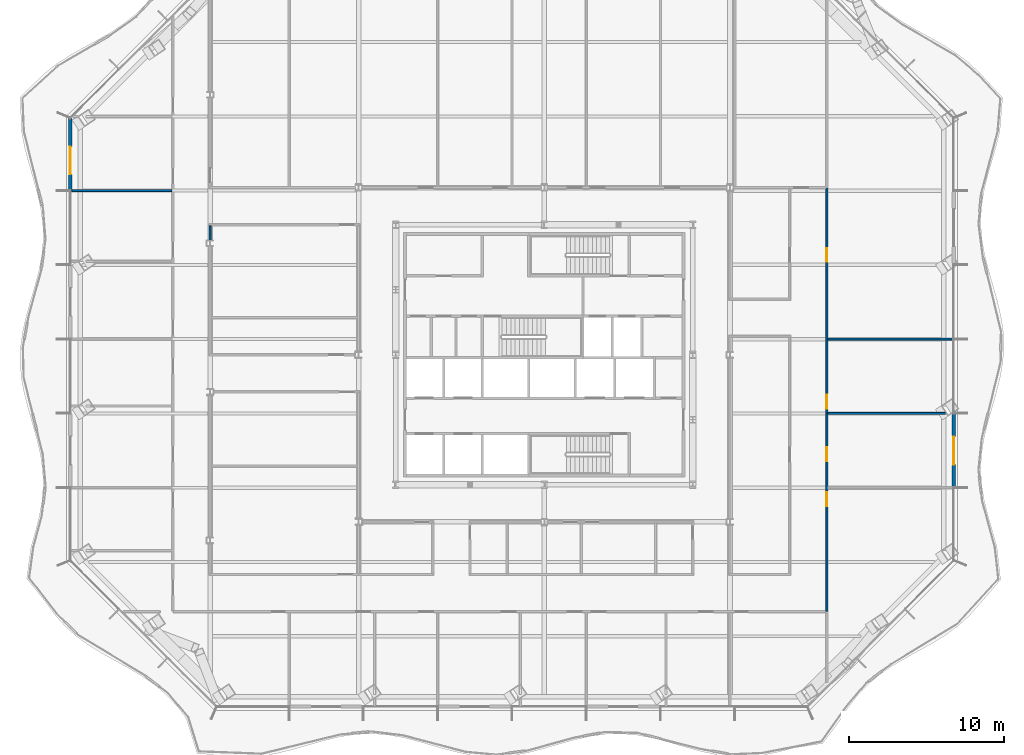
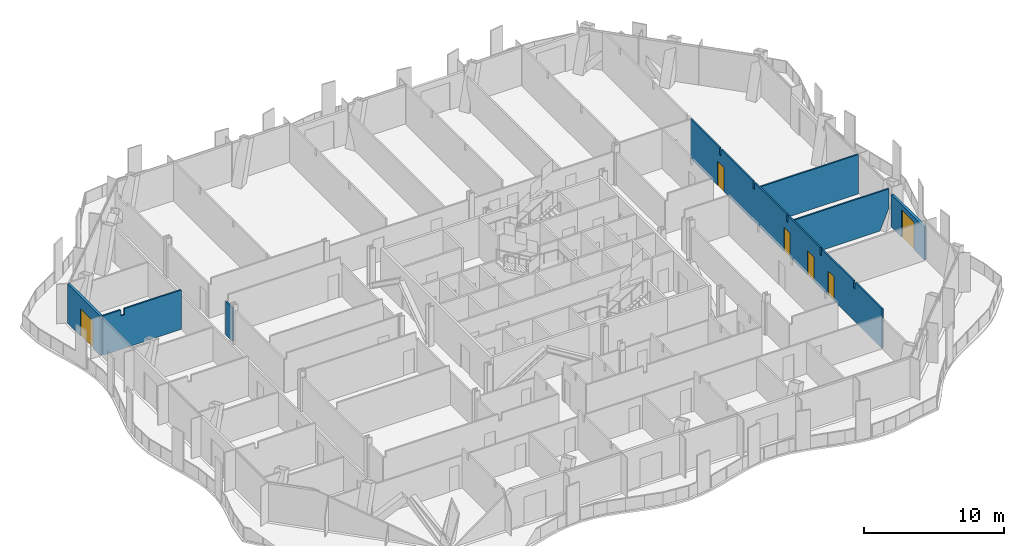
# One storey, part 11 of 22: 7 walls, 6 doors, 6 openings.
"""IFC4 building model written with IfcOpenShell, lengths in metres."""

import ifcopenshell
import ifcopenshell.guid

model = None  # the IFC model being written
_history = None  # IfcOwnerHistory: only IFC2X3 demands one
_inside = {}  # id of a spatial element -> (the spatial element, [elements in it])
_under = {}  # id of a project, library or spatial element -> (it, [spatial elements below it])
_declared = {}  # id of a project -> (the project, [libraries it declares])
_typed = {}  # id of a type object -> (the type object, [elements of that type])
_made_of = {}  # id of a material, layer set ... -> (it, [elements and type objects made of it])


def new_model(schema):
    """Start an empty IFC model of exactly this schema.

    Asked for "IFC4X3", IfcOpenShell would pick the latest addendum, in which some entities
    have other attributes; the version numbers below select the first issue.
    IFC2X3 requires an IfcOwnerHistory on every rooted entity: one is made here for all.
    """
    global model, _history
    if schema == "IFC4X3":
        model = ifcopenshell.file(schema_version=(4, 3, 0, 0))
    else:
        model = ifcopenshell.file(schema=schema)
    _inside.clear()
    _under.clear()
    _declared.clear()
    _typed.clear()
    _made_of.clear()
    _history = None
    if model.schema == "IFC2X3":
        org = make("IfcOrganization", Name="unknown")
        user = make(
            "IfcPersonAndOrganization",
            ThePerson=make("IfcPerson", FamilyName="unknown"),
            TheOrganization=org,
        )
        app = make(
            "IfcApplication",
            ApplicationDeveloper=org,
            Version="unknown",
            ApplicationFullName="unknown",
            ApplicationIdentifier="unknown",
        )
        _history = make(
            "IfcOwnerHistory",
            OwningUser=user,
            OwningApplication=app,
            ChangeAction="ADDED",
            CreationDate=0,
        )
    return model


def make(cls, **values):
    """One entity of the class cls with the attributes given. An attribute that is None is left unset."""
    return model.create_entity(
        cls, **{name: value for name, value in values.items() if value is not None}
    )


def rooted(cls, **values):
    """An entity with a GlobalId (a new one), such as an element, a storey or a relation."""
    return make(cls, GlobalId=ifcopenshell.guid.new(), OwnerHistory=_history, **values)


def si_unit(unit_type, name, prefix=None):
    """IfcSIUnit, for example si_unit("LENGTHUNIT", "METRE", prefix="MILLI")."""
    return make("IfcSIUnit", UnitType=unit_type, Prefix=prefix, Name=name)


def assignment(units):
    """IfcUnitAssignment: the units of a project."""
    return None if units is None else make("IfcUnitAssignment", Units=units)


def point(xyz):
    """IfcCartesianPoint."""
    return None if xyz is None else make("IfcCartesianPoint", Coordinates=xyz)


def direction(xyz):
    """IfcDirection."""
    return None if xyz is None else make("IfcDirection", DirectionRatios=xyz)


def frame(location, z_axis=None, x_axis=None):
    """IfcAxis2Placement3D, a coordinate frame: its origin and axes. An axis left out is left unset."""
    return make(
        "IfcAxis2Placement3D",
        Location=point(location),
        Axis=direction(z_axis),
        RefDirection=direction(x_axis),
    )


def frame_2d(location, x_axis=None):
    """IfcAxis2Placement2D, a coordinate frame in the plane: its origin and x axis."""
    return make(
        "IfcAxis2Placement2D", Location=point(location), RefDirection=direction(x_axis)
    )


def origin():
    """The frame at (0, 0, 0) with its axes left unset."""
    return frame((0.0, 0.0, 0.0))


def place(relative_to, where):
    """IfcLocalPlacement: puts the frame where relative to a parent placement (None: the world)."""
    return make(
        "IfcLocalPlacement", PlacementRelTo=relative_to, RelativePlacement=where
    )


def context(
    kind, dimensions, precision=None, world=None, true_north=None, identifier=None
):
    """IfcGeometricRepresentationContext, for example the 3D "Model" context."""
    return make(
        "IfcGeometricRepresentationContext",
        ContextIdentifier=identifier,
        ContextType=kind,
        CoordinateSpaceDimension=dimensions,
        Precision=precision,
        WorldCoordinateSystem=world,
        TrueNorth=true_north,
    )


def subcontext(parent, identifier, kind, view, scale=None):
    """IfcGeometricRepresentationSubContext, for example "Body" below "Model"."""
    return make(
        "IfcGeometricRepresentationSubContext",
        ContextIdentifier=identifier,
        ContextType=kind,
        ParentContext=parent,
        TargetScale=scale,
        TargetView=view,
    )


def project(units=None, contexts=None):
    """IfcProject with its units and contexts."""
    return rooted(
        "IfcProject",
        Name="project",
        RepresentationContexts=contexts,
        UnitsInContext=assignment(units),
    )


def spatial(cls, under=None, at=None, **own):
    """A site, building, storey or space (cls), placed at a placement, below another one or the project."""
    s = rooted(cls, ObjectPlacement=at, **own)
    if under is not None:
        _under.setdefault(under.id(), (under, []))[1].append(s)
    return s


def polyline(points):
    """IfcPolyline through the points."""
    return make("IfcPolyline", Points=[point(p) for p in points])


def profile(cls, at=None, kind="AREA", **sizes):
    """A parametric profile (cls). Its sizes go by their IFC names, for example OverallWidth=200.0."""
    return make(cls, ProfileType=kind, Position=at, **sizes)


def rectangle(**sizes):
    """IfcRectangleProfileDef."""
    return profile("IfcRectangleProfileDef", **sizes)


def outline(outer, holes=None, kind="AREA"):
    """IfcArbitraryClosedProfileDef: a profile drawn as a closed curve; with holes, ...WithVoids."""
    if holes is None:
        return make("IfcArbitraryClosedProfileDef", ProfileType=kind, OuterCurve=outer)
    return make(
        "IfcArbitraryProfileDefWithVoids",
        ProfileType=kind,
        OuterCurve=outer,
        InnerCurves=holes,
    )


def extrude(swept, where, along, depth):
    """IfcExtrudedAreaSolid: the profile swept, set in the frame where, extruded along a direction by depth."""
    return make(
        "IfcExtrudedAreaSolid",
        SweptArea=swept,
        Position=where,
        ExtrudedDirection=direction(along),
        Depth=depth,
    )


def shape(context_of_items, identifier, shape_type, items):
    """IfcShapeRepresentation: the items that make up one representation, for example the "Body"."""
    return make(
        "IfcShapeRepresentation",
        ContextOfItems=context_of_items,
        RepresentationIdentifier=identifier,
        RepresentationType=shape_type,
        Items=items,
    )


def material(Name=None, Category=None):
    """IfcMaterial."""
    return make("IfcMaterial", Name=Name, Category=Category)


def layer(
    of_material, thickness, ventilated=None, Name=None, Category=None, Priority=None
):
    """IfcMaterialLayer: one layer of a wall or slab, of a material (None: an air gap)."""
    return make(
        "IfcMaterialLayer",
        Material=of_material,
        LayerThickness=thickness,
        IsVentilated=ventilated,
        Name=Name,
        Category=Category,
        Priority=Priority,
    )


def layer_set(layers, Name=None):
    """IfcMaterialLayerSet."""
    return make("IfcMaterialLayerSet", MaterialLayers=layers, LayerSetName=Name)


def made_of(thing, what):
    """Note that an element or type object is made of a material, layer set ...; save() writes the relation."""
    if what is not None:
        _made_of.setdefault(what.id(), (what, []))[1].append(thing)
    return thing


def type_object(cls, material=None, **own):
    """A type object (cls), such as IfcWallType, which elements share."""
    return made_of(rooted(cls, **own), material)


def element(
    cls,
    number,
    at=None,
    inside=None,
    cuts=None,
    type_object=None,
    material=None,
    context=None,
    identifier="Body",
    shape_type=None,
    held_by="IfcProductDefinitionShape",
    body=None,
    shapes=None,
    **own,
):
    """One element of the class cls, such as IfcWall. Its Tag is "e" and its number.

    at: its placement. inside: the storey or other place that contains it. cuts: it is an
    opening in that element (IfcRelVoidsElement). A single representation is given by context,
    identifier, shape_type and body (its items); several are given by shapes. held_by: the class
    of the entity that holds the representations. save() writes the other relations.
    """
    e = rooted(cls, Tag="e%d" % number, ObjectPlacement=at, **own)
    if body is not None:
        shapes = [shape(context, identifier, shape_type, body)]
    if shapes is not None:
        e.Representation = make(held_by, Representations=shapes)
    if inside is not None:
        _inside.setdefault(inside.id(), (inside, []))[1].append(e)
    if cuts is not None:
        rooted(
            "IfcRelVoidsElement", RelatingBuildingElement=cuts, RelatedOpeningElement=e
        )
    if type_object is not None:
        _typed.setdefault(type_object.id(), (type_object, []))[1].append(e)
    return made_of(e, material)


def fill(opening, filler):
    """IfcRelFillsElement: the door or window that sits in an opening."""
    return rooted(
        "IfcRelFillsElement",
        RelatingOpeningElement=opening,
        RelatedBuildingElement=filler,
    )


def aggregate(whole, parts):
    """IfcRelAggregates: a whole, such as a stair, and the parts it consists of."""
    return rooted("IfcRelAggregates", RelatingObject=whole, RelatedObjects=parts)


def save(model, path):
    """Write the relations noted so far, then the file.

    IfcRelAggregates (storeys below a building ...), IfcRelContainedInSpatialStructure (elements
    in a storey), IfcRelDefinesByType, IfcRelAssociatesMaterial and IfcRelDeclares: one each for
    every whole, place, type object, material and project.
    """
    for whole, parts in _under.values():
        aggregate(whole, parts)
    for where, things in _inside.values():
        rooted(
            "IfcRelContainedInSpatialStructure",
            RelatedElements=things,
            RelatingStructure=where,
        )
    for kind, things in _typed.values():
        rooted("IfcRelDefinesByType", RelatedObjects=things, RelatingType=kind)
    for what, things in _made_of.values():
        rooted("IfcRelAssociatesMaterial", RelatedObjects=things, RelatingMaterial=what)
    for by, libraries in _declared.values():
        rooted("IfcRelDeclares", RelatingContext=by, RelatedDefinitions=libraries)
    model.write(path)


model = new_model("IFC4")

# Units and contexts
model_context = context("Model", 3, precision=1e-05, world=origin(), true_north=direction((0.0, 1.0)))
body_context = subcontext(model_context, "Body", "Model", "MODEL_VIEW")
ifc_project = project(units=[si_unit("LENGTHUNIT", "METRE"), si_unit("AREAUNIT", "SQUARE_METRE"), si_unit("VOLUMEUNIT", "CUBIC_METRE"), si_unit("PLANEANGLEUNIT", "RADIAN"), si_unit("MASSUNIT", "GRAM", prefix="KILO")], contexts=[model_context])

# Site, building, storey
site_placement = place(None, origin())
site = spatial("IfcSite", under=ifc_project, at=site_placement, CompositionType="ELEMENT")
building_placement = place(site_placement, origin())
building = spatial("IfcBuilding", under=site, at=building_placement, Name="Cairn Pilgrim Tower", CompositionType="ELEMENT")
storey_placement = place(building_placement, frame((0.0, 0.0, 105.0)))
storey = spatial("IfcBuildingStorey", under=building, at=storey_placement, Name="L25", CompositionType="ELEMENT", Elevation=105.0)

# Wall, opening, door
ifc_material_1 = material(Name="Bronze anodised aluminium insulated sandwich panel with mineral wool fill", Category="aluminium")
ifc_layer_1 = layer(ifc_material_1, 0.199951171875)
ifc_layer_set_1 = layer_set([ifc_layer_1], Name="BRONZE INFILL FRAME WALL 200")
wall_type_1 = type_object("IfcWallType", Name="BRONZE INFILL FRAME WALL 200", PredefinedType="NOTDEFINED", material=ifc_layer_set_1)
wall_1_placement = place(storey_placement, frame((33.662841796875, -6.161376953125, 0.0), z_axis=(0.0, 0.0, 1.0), x_axis=(0.0, 1.0, 0.0)))
wall_1 = element("IfcWall", 1, at=wall_1_placement, inside=storey, type_object=wall_type_1, Name="Bronze infill frame wall IW-E2", PredefinedType="NOTDEFINED", context=body_context, shape_type="SweptSolid", body=[
    extrude(rectangle(XDim=4.739990234375, YDim=0.199951171875, at=frame_2d((2.3701171875, 0.0))), origin(), (0.0, 0.0, 1.0), 2.85009765625),
])
opening_1_placement = place(wall_1_placement, frame((1.470458984375, 0.0, 0.0)))
opening_1 = element("IfcOpeningElement", 2, at=opening_1_placement, cuts=wall_1, Name="Opening 2524B", PredefinedType="OPENING", context=body_context, shape_type="SweptSolid", body=[
    extrude(rectangle(XDim=1.800048828125, YDim=2.39990234375, at=frame_2d((0.89990234375, 1.199951171875))), frame((0.0, 0.10986328125, 0.0), z_axis=(0.0, -1.0, 0.0), x_axis=(1.0, 0.0, 0.0)), (0.0, 0.0, 1.0), 0.219970703125),
])
ifc_material_2 = material(Name="Bronze anodised aluminium frame with tinted low-E glass", Category="aluminium")
door_type_1 = type_object("IfcDoorType", Name="BALCONY SLIDING DOOR 1800x2400", OperationType="DOUBLE_DOOR_SLIDING", PredefinedType="DOOR", material=ifc_material_2)
door_1_placement = place(opening_1_placement, origin())
door_1 = element("IfcDoor", 3, at=door_1_placement, inside=storey, type_object=door_type_1, Name="Balcony sliding door 2524B", OperationType="SINGLE_SWING_LEFT", OverallHeight=2.39990234375, OverallWidth=1.800048828125, PredefinedType="DOOR", context=body_context, shape_type="SweptSolid", body=[
    extrude(rectangle(XDim=1.800048828125, YDim=2.39990234375, at=frame_2d((0.89990234375, 1.199951171875))), frame((0.0, 0.02490234375, 0.0), z_axis=(0.0, -1.0, 0.0), x_axis=(1.0, 0.0, 0.0)), (0.0, 0.0, 1.0), 0.050048828125),
])
fill(opening_1, door_1)

wall_2_placement = place(storey_placement, frame((-23.43701171875, 17.6650390625, 0.0), z_axis=(0.0, 0.0, 1.0), x_axis=(0.0, -1.0, 0.0)))
wall_2 = element("IfcWall", 4, at=wall_2_placement, inside=storey, type_object=wall_type_1, Name="Bronze infill frame wall IW-W1", PredefinedType="NOTDEFINED", context=body_context, shape_type="SweptSolid", body=[
    extrude(rectangle(XDim=4.62646484375, YDim=0.199951171875, at=frame_2d((2.313232421875, 0.0))), origin(), (0.0, 0.0, 1.0), 3.449951171875),
])
opening_2_placement = place(wall_2_placement, frame((1.807861328125, 0.0, 0.0)))
opening_2 = element("IfcOpeningElement", 5, at=opening_2_placement, cuts=wall_2, Name="Opening 2514B", PredefinedType="OPENING", context=body_context, shape_type="SweptSolid", body=[
    extrude(rectangle(XDim=1.800048828125, YDim=2.39990234375, at=frame_2d((0.89990234375, 1.199951171875))), frame((0.0, 0.10986328125, 0.0), z_axis=(0.0, -1.0, 0.0), x_axis=(1.0, 0.0, 0.0)), (0.0, 0.0, 1.0), 0.219970703125),
])
door_2_placement = place(opening_2_placement, origin())
door_2 = element("IfcDoor", 6, at=door_2_placement, inside=storey, type_object=door_type_1, Name="Balcony sliding door 2514B", OperationType="SINGLE_SWING_LEFT", OverallHeight=2.39990234375, OverallWidth=1.800048828125, PredefinedType="DOOR", context=body_context, shape_type="SweptSolid", body=[
    extrude(rectangle(XDim=1.800048828125, YDim=2.39990234375, at=frame_2d((0.89990234375, 1.199951171875))), frame((0.0, 0.02490234375, 0.0), z_axis=(0.0, -1.0, 0.0), x_axis=(1.0, 0.0, 0.0)), (0.0, 0.0, 1.0), 0.050048828125),
])
fill(opening_2, door_2)

# Wall, openings, doors
ifc_material_3 = material(Name="Gypsum partition")
ifc_layer_2 = layer(ifc_material_3, 0.125)
ifc_layer_set_2 = layer_set([ifc_layer_2], Name="PARTITION 125 DRYWALL EI 60")
wall_type_2 = type_object("IfcWallType", Name="PARTITION 125 DRYWALL EI 60", PredefinedType="PARTITIONING", material=ifc_layer_set_2)
wall_3_placement = place(storey_placement, frame((25.462890625, -14.199951171875, 0.0), z_axis=(0.0, 0.0, 1.0), x_axis=(0.0, 1.0, 0.0)))
wall_3 = element("IfcWall", 7, at=wall_3_placement, inside=storey, type_object=wall_type_2, Name="PARTITION W014", PredefinedType="PARTITIONING", context=body_context, shape_type="SweptSolid", body=[
    extrude(outline(polyline([(0.0, 0.0), (27.39990234375, 0.0), (27.39990234375, 3.449951171875), (23.23779296875, 3.449951171875), (23.235595703125, 2.830078125), (23.017578125, 2.830078125), (23.015625, 3.449951171875), (18.437744140625, 3.449951171875), (18.435791015625, 2.830078125), (18.2177734375, 2.830078125), (18.2158203125, 3.449951171875), (13.6376953125, 3.449951171875), (13.6357421875, 2.830078125), (13.417724609375, 2.830078125), (13.415771484375, 3.449951171875), (8.837646484375, 3.449951171875), (8.835693359375, 2.830078125), (8.61767578125, 2.830078125), (8.61572265625, 3.449951171875), (4.03759765625, 3.449951171875), (4.03564453125, 2.830078125), (3.817626953125, 2.830078125), (3.815673828125, 3.449951171875), (0.0, 3.449951171875), (0.0, 0.0)])), frame((0.0, 0.0625, 0.0), z_axis=(0.0, -1.0, 0.0), x_axis=(1.0, 0.0, 0.0)), (0.0, 0.0, 1.0), 0.125),
])
opening_3_placement = place(wall_3_placement, frame((6.80908203125, 0.0, 0.0)))
opening_3 = element("IfcOpeningElement", 8, at=opening_3_placement, cuts=wall_3, Name="Opening 2523", PredefinedType="OPENING", context=body_context, shape_type="SweptSolid", body=[
    extrude(rectangle(XDim=0.89990234375, YDim=2.10009765625, at=frame_2d((0.449951171875, 1.050048828125))), frame((0.0, 0.072509765625, 0.0), z_axis=(0.0, -1.0, 0.0), x_axis=(1.0, 0.0, 0.0)), (0.0, 0.0, 1.0), 0.14501953125),
])
opening_4_placement = place(wall_3_placement, frame((9.708984375, 0.0, 0.0)))
opening_4 = element("IfcOpeningElement", 9, at=opening_4_placement, cuts=wall_3, Name="Opening 2524", PredefinedType="OPENING", context=body_context, shape_type="SweptSolid", body=[
    extrude(rectangle(XDim=0.89990234375, YDim=2.10009765625, at=frame_2d((0.449951171875, 1.050048828125))), frame((0.0, 0.072509765625, 0.0), z_axis=(0.0, -1.0, 0.0), x_axis=(1.0, 0.0, 0.0)), (0.0, 0.0, 1.0), 0.14501953125),
])
opening_5_placement = place(wall_3_placement, frame((13.10888671875, 0.0, 0.0)))
opening_5 = element("IfcOpeningElement", 10, at=opening_5_placement, cuts=wall_3, Name="Opening 2525", PredefinedType="OPENING", context=body_context, shape_type="SweptSolid", body=[
    extrude(rectangle(XDim=0.89990234375, YDim=2.10009765625, at=frame_2d((0.449951171875, 1.050048828125))), frame((0.0, 0.072509765625, 0.0), z_axis=(0.0, -1.0, 0.0), x_axis=(1.0, 0.0, 0.0)), (0.0, 0.0, 1.0), 0.14501953125),
])
opening_6_placement = place(wall_3_placement, frame((22.60009765625, 0.0, 0.0)))
opening_6 = element("IfcOpeningElement", 11, at=opening_6_placement, cuts=wall_3, Name="Opening 2526", PredefinedType="OPENING", context=body_context, shape_type="SweptSolid", body=[
    extrude(rectangle(XDim=0.89990234375, YDim=2.10009765625, at=frame_2d((0.449951171875, 1.050048828125))), frame((0.0, 0.072509765625, 0.0), z_axis=(0.0, -1.0, 0.0), x_axis=(1.0, 0.0, 0.0)), (0.0, 0.0, 1.0), 0.14501953125),
])
ifc_material_4 = material(Name="Steel-faced fire door leaf", Category="steel")
door_type_2 = type_object("IfcDoorType", Name="FIRE DOOR 900x2100 FD30S", OperationType="NOTDEFINED", PredefinedType="DOOR", material=ifc_material_4)
door_3_placement = place(opening_3_placement, frame((0.89990234375, 0.0, 0.0), z_axis=(0.0, 0.0, 1.0), x_axis=(-1.0, 0.0, 0.0)))
door_3 = element("IfcDoor", 12, at=door_3_placement, inside=storey, type_object=door_type_2, Name="DOOR 2523", OperationType="SINGLE_SWING_RIGHT", OverallHeight=2.10009765625, OverallWidth=0.89990234375, PredefinedType="DOOR", context=body_context, shape_type="SweptSolid", body=[
    extrude(rectangle(XDim=0.89990234375, YDim=2.10009765625, at=frame_2d((0.449951171875, 1.050048828125))), frame((0.0, 0.02490234375, 0.0), z_axis=(0.0, -1.0, 0.0), x_axis=(1.0, 0.0, 0.0)), (0.0, 0.0, 1.0), 0.050048828125),
])
fill(opening_3, door_3)
door_4_placement = place(opening_4_placement, frame((0.89990234375, 0.0, 0.0), z_axis=(0.0, 0.0, 1.0), x_axis=(-1.0, 0.0, 0.0)))
door_4 = element("IfcDoor", 13, at=door_4_placement, inside=storey, type_object=door_type_2, Name="DOOR 2524", OperationType="SINGLE_SWING_LEFT", OverallHeight=2.10009765625, OverallWidth=0.89990234375, PredefinedType="DOOR", context=body_context, shape_type="SweptSolid", body=[
    extrude(rectangle(XDim=0.89990234375, YDim=2.10009765625, at=frame_2d((0.449951171875, 1.050048828125))), frame((0.0, 0.02490234375, 0.0), z_axis=(0.0, -1.0, 0.0), x_axis=(1.0, 0.0, 0.0)), (0.0, 0.0, 1.0), 0.050048828125),
])
fill(opening_4, door_4)
door_5_placement = place(opening_5_placement, frame((0.89990234375, 0.0, 0.0), z_axis=(0.0, 0.0, 1.0), x_axis=(-1.0, 0.0, 0.0)))
door_5 = element("IfcDoor", 14, at=door_5_placement, inside=storey, type_object=door_type_2, Name="DOOR 2525", OperationType="SINGLE_SWING_RIGHT", OverallHeight=2.10009765625, OverallWidth=0.89990234375, PredefinedType="DOOR", context=body_context, shape_type="SweptSolid", body=[
    extrude(rectangle(XDim=0.89990234375, YDim=2.10009765625, at=frame_2d((0.449951171875, 1.050048828125))), frame((0.0, 0.02490234375, 0.0), z_axis=(0.0, -1.0, 0.0), x_axis=(1.0, 0.0, 0.0)), (0.0, 0.0, 1.0), 0.050048828125),
])
fill(opening_5, door_5)
door_6_placement = place(opening_6_placement, frame((0.89990234375, 0.0, 0.0), z_axis=(0.0, 0.0, 1.0), x_axis=(-1.0, 0.0, 0.0)))
door_6 = element("IfcDoor", 15, at=door_6_placement, inside=storey, type_object=door_type_2, Name="DOOR 2526", OperationType="SINGLE_SWING_LEFT", OverallHeight=2.10009765625, OverallWidth=0.89990234375, PredefinedType="DOOR", context=body_context, shape_type="SweptSolid", body=[
    extrude(rectangle(XDim=0.89990234375, YDim=2.10009765625, at=frame_2d((0.449951171875, 1.050048828125))), frame((0.0, 0.02490234375, 0.0), z_axis=(0.0, -1.0, 0.0), x_axis=(1.0, 0.0, 0.0)), (0.0, 0.0, 1.0), 0.050048828125),
])
fill(opening_6, door_6)

# Walls
wall_4_placement = place(storey_placement, frame((25.525390625, -1.39111328125, 0.0), z_axis=(0.0, 0.0, 1.0), x_axis=(1.0, 0.0, 0.0)))
element("IfcWall", 16, at=wall_4_placement, inside=storey, type_object=wall_type_2, Name="PARTITION W040", PredefinedType="PARTITIONING", context=body_context, shape_type="SweptSolid", body=[
    extrude(outline(polyline([(0.0, 0.0), (7.082275390625, 0.0), (7.45556640625, 0.862548828125), (7.828857421875, 1.72509765625), (7.828857421875, 2.58740234375), (7.828857421875, 3.449951171875), (0.0, 3.449951171875), (0.0, 2.58740234375), (0.0, 1.72509765625), (0.0, 0.862548828125), (0.0, 0.0)])), frame((0.0, 0.0625, 0.0), z_axis=(0.0, -1.0, 0.0), x_axis=(1.0, 0.0, 0.0)), (0.0, 0.0, 1.0), 0.125),
])
wall_5_placement = place(storey_placement, frame((25.525390625, 3.408935546875, 0.0), z_axis=(0.0, 0.0, 1.0), x_axis=(1.0, 0.0, 0.0)))
element("IfcWall", 17, at=wall_5_placement, inside=storey, type_object=wall_type_2, Name="PARTITION W049", PredefinedType="PARTITIONING", context=body_context, shape_type="SweptSolid", body=[
    extrude(rectangle(XDim=8.077392578125, YDim=0.125, at=frame_2d((4.03857421875, 0.0))), origin(), (0.0, 0.0, 1.0), 3.449951171875),
])
wall_6_placement = place(storey_placement, frame((-14.39990234375, 9.79638671875, 0.0), z_axis=(0.0, 0.0, 1.0), x_axis=(0.0, 1.0, 0.0)))
element("IfcWall", 18, at=wall_6_placement, inside=storey, type_object=wall_type_2, Name="PARTITION W057", PredefinedType="PARTITIONING", context=body_context, shape_type="SweptSolid", body=[
    extrude(rectangle(XDim=0.941162109375, YDim=0.125, at=frame_2d((0.470703125, 0.0))), origin(), (0.0, 0.0, 1.0), 2.929931640625),
])
wall_7_placement = place(storey_placement, frame((-23.337158203125, 13.009033203125, 0.0), z_axis=(0.0, 0.0, 1.0), x_axis=(1.0, 0.0, 0.0)))
element("IfcWall", 19, at=wall_7_placement, inside=storey, type_object=wall_type_2, Name="PARTITION W059", PredefinedType="PARTITIONING", context=body_context, shape_type="SweptSolid", body=[
    extrude(outline(polyline([(0.0, 0.0), (6.474609375, 0.0), (6.474609375, 3.449951171875), (1.77880859375, 3.449951171875), (1.776611328125, 2.929931640625), (1.478759765625, 2.929931640625), (1.476806640625, 3.449951171875), (0.0, 3.449951171875), (0.0, 0.0)])), frame((0.0, 0.0625, 0.0), z_axis=(0.0, -1.0, 0.0), x_axis=(1.0, 0.0, 0.0)), (0.0, 0.0, 1.0), 0.125),
])

save(model, "model.ifc")
